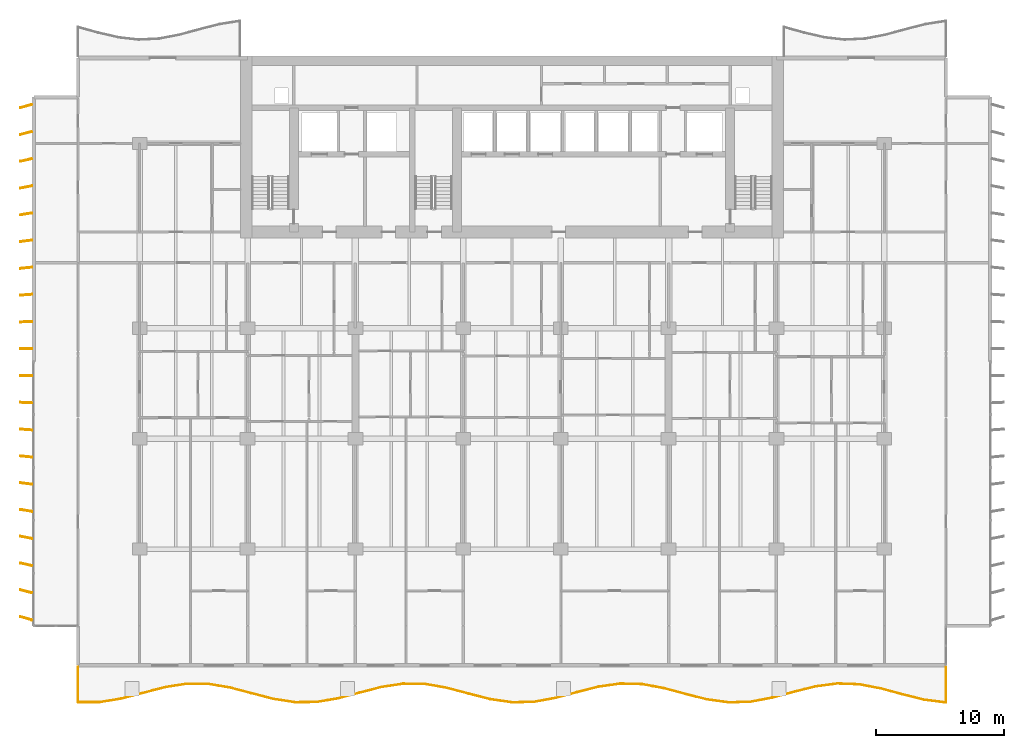
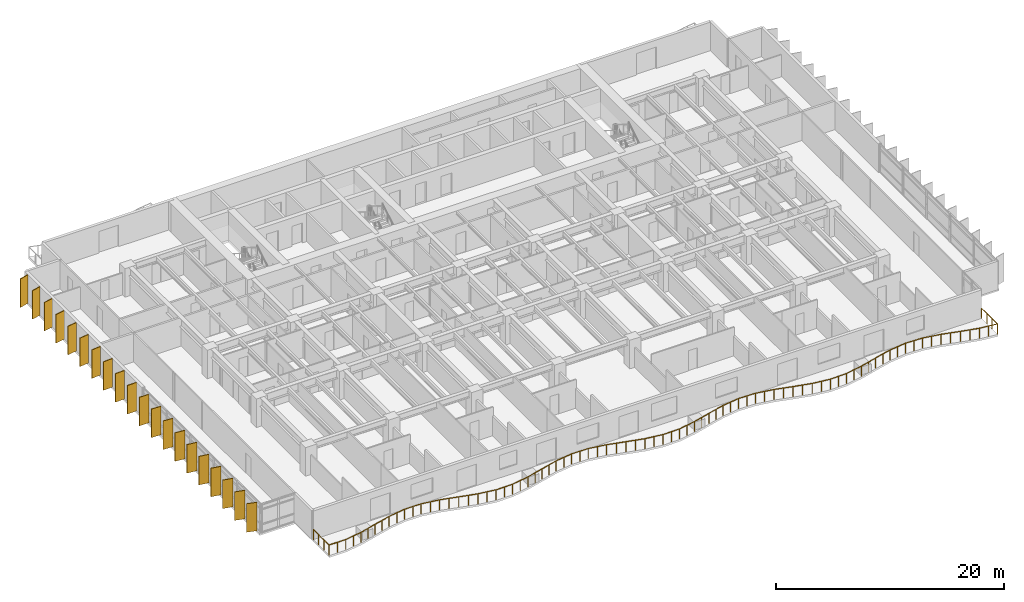
# One storey, part 15 of 18: 20 shading devices, 1 railing.
"""IFC4 building model written with IfcOpenShell, lengths in metres."""

from ifc_helpers import new_model, si_unit, direction, frame, origin, origin_2d, place, context, subcontext, project, spatial, rectangle, circle, extrude, material, material_profile, profile_set, type_object, element, save


model = new_model("IFC4")

# Units and contexts
model_context = context("Model", 3, precision=1e-05, world=origin(), true_north=direction((0.0, 1.0)))
body_context = subcontext(model_context, "Body", "Model", "MODEL_VIEW")
ifc_project = project(units=[si_unit("LENGTHUNIT", "METRE"), si_unit("AREAUNIT", "SQUARE_METRE"), si_unit("VOLUMEUNIT", "CUBIC_METRE"), si_unit("PLANEANGLEUNIT", "RADIAN"), si_unit("MASSUNIT", "GRAM", prefix="KILO")], contexts=[model_context])

# Site, building, storey
site_placement = place(None, origin())
site = spatial("IfcSite", under=ifc_project, at=site_placement, CompositionType="ELEMENT")
building_placement = place(site_placement, origin())
building = spatial("IfcBuilding", under=site, at=building_placement, Name="Caelmar Bay Residences", CompositionType="ELEMENT")
storey_placement = place(building_placement, frame((0.0, 0.0, 36.60009765625)))
storey = spatial("IfcBuildingStorey", under=building, at=storey_placement, Name="L08", CompositionType="ELEMENT", Elevation=36.60009765625)

# Railing
ifc_material_1 = material(Name="Anodised bronze handrail with laminated hurricane glass infill", Category="glass")
railing_type = type_object("IfcRailingType", Name="RL-BAL-1100", PredefinedType="BALUSTRADE", material=ifc_material_1)
railing_placement = place(storey_placement, frame((5.10009765625, 3.0, 0.0)))
element("IfcRailing", 1, at=railing_placement, inside=storey, type_object=railing_type, Name="L08 south Balcony Balustrade", PredefinedType="BALUSTRADE", context=body_context, shape_type="SweptSolid", body=[
    extrude(circle(Radius=0.02392578125, at=origin_2d()), frame((0.0, 0.0, 1.076171875), z_axis=(0.0, -1.0, 0.0), x_axis=(1.0, 0.0, 0.0)), (0.0, 0.0, 1.0), 2.7333984375),
    extrude(circle(Radius=0.02392578125, at=origin_2d()), frame((0.0, -2.7333984375, 1.076171875), z_axis=(0.999999833035, 0.000577867572, 0.0), x_axis=(-0.000577867572, 0.999999833035, 0.0)), (0.0, 0.0, 1.0), 1.68994140625),
    extrude(circle(Radius=0.02392578125, at=origin_2d()), frame((1.68994140625, -2.732421875, 1.076171875), z_axis=(0.986912976197, 0.161253767131, 0.0), x_axis=(-0.161253767131, 0.986912976197, 0.0)), (0.0, 0.0, 1.0), 1.71240234375),
    extrude(circle(Radius=0.02392578125, at=origin_2d()), frame((3.3798828125, -2.456298828125, 1.076171875), z_axis=(0.967094441618, 0.254417650706, 0.0), x_axis=(-0.254417650706, 0.967094441618, 0.0)), (0.0, 0.0, 1.0), 1.74755859375),
    extrude(circle(Radius=0.02392578125, at=origin_2d()), frame((5.06982421875, -2.01171875, 1.076171875), z_axis=(0.967514789184, 0.252814423463, 0.0), x_axis=(-0.252814423463, 0.967514789184, 0.0)), (0.0, 0.0, 1.0), 1.746826171875),
    extrude(circle(Radius=0.02392578125, at=origin_2d()), frame((6.760009765625, -1.570068359375, 1.076171875), z_axis=(0.98769577134, 0.156387541952, 0.0), x_axis=(-0.156387541952, 0.98769577134, 0.0)), (0.0, 0.0, 1.0), 1.7109375),
    extrude(circle(Radius=0.02392578125, at=origin_2d()), frame((8.449951171875, -1.302490234375, 1.076171875), z_axis=(0.999984128218, -0.005634120341, 0.0), x_axis=(0.005634120341, 0.999984128218, 0.0)), (0.0, 0.0, 1.0), 1.68994140625),
    extrude(circle(Radius=0.02392578125, at=origin_2d()), frame((10.139892578125, -1.31201171875, 1.076171875), z_axis=(0.98624720218, -0.165276907618, 0.0), x_axis=(0.165276907618, 0.98624720218, 0.0)), (0.0, 0.0, 1.0), 1.713623046875),
    extrude(circle(Radius=0.02392578125, at=origin_2d()), frame((11.829833984375, -1.59521484375, 1.076171875), z_axis=(0.966724528556, -0.255819635464, 0.0), x_axis=(0.255819635464, 0.966724528556, 0.0)), (0.0, 0.0, 1.0), 1.748291015625),
    extrude(circle(Radius=0.02392578125, at=origin_2d()), frame((13.52001953125, -2.04248046875, 1.076171875), z_axis=(0.967949070137, -0.251146566016, 0.0), x_axis=(0.251146566016, 0.967949070137, 0.0)), (0.0, 0.0, 1.0), 1.745849609375),
    extrude(circle(Radius=0.02392578125, at=origin_2d()), frame((15.2099609375, -2.48095703125, 1.076171875), z_axis=(0.988327087853, -0.152346865464, 0.0), x_axis=(0.152346865464, 0.988327087853, 0.0)), (0.0, 0.0, 1.0), 1.7099609375),
    extrude(circle(Radius=0.02392578125, at=origin_2d()), frame((16.89990234375, -2.741455078125, 1.076171875), z_axis=(0.999941306352, 0.010834382834, 0.0), x_axis=(-0.010834382834, 0.999941306352, 0.0)), (0.0, 0.0, 1.0), 1.68994140625),
    extrude(circle(Radius=0.02392578125, at=origin_2d()), frame((18.58984375, -2.72314453125, 1.076171875), z_axis=(0.9855897172, 0.169153508239, 0.0), x_axis=(-0.169153508239, 0.9855897172, 0.0)), (0.0, 0.0, 1.0), 1.714599609375),
    extrude(circle(Radius=0.02392578125, at=origin_2d()), frame((20.27978515625, -2.43310546875, 1.076171875), z_axis=(0.966378433467, 0.257123945464, 0.0), x_axis=(-0.257123945464, 0.966378433467, 0.0)), (0.0, 0.0, 1.0), 1.7490234375),
    extrude(circle(Radius=0.02392578125, at=origin_2d()), frame((21.969970703125, -1.9833984375, 1.076171875), z_axis=(0.968389691805, 0.2494421873, 0.0), x_axis=(-0.2494421873, 0.968389691805, 0.0)), (0.0, 0.0, 1.0), 1.7451171875),
    extrude(circle(Radius=0.02392578125, at=origin_2d()), frame((23.659912109375, -1.548095703125, 1.076171875), z_axis=(0.988963583268, 0.148158803214, 0.0), x_axis=(-0.148158803214, 0.988963583268, 0.0)), (0.0, 0.0, 1.0), 1.708740234375),
    extrude(circle(Radius=0.02392578125, at=origin_2d()), frame((25.349853515625, -1.294921875, 1.076171875), z_axis=(0.999873756235, -0.015889354693, 0.0), x_axis=(0.015889354693, 0.999873756235, 0.0)), (0.0, 0.0, 1.0), 1.690185546875),
    extrude(circle(Radius=0.02392578125, at=origin_2d()), frame((27.039794921875, -1.32177734375, 1.076171875), z_axis=(0.984922170397, -0.172998029641, 0.0), x_axis=(0.172998029641, 0.984922170397, 0.0)), (0.0, 0.0, 1.0), 1.716064453125),
    extrude(circle(Radius=0.02392578125, at=origin_2d()), frame((28.72998046875, -1.61865234375, 1.076171875), z_axis=(0.966056345192, -0.258331449718, 0.0), x_axis=(0.258331449718, 0.966056345192, 0.0)), (0.0, 0.0, 1.0), 1.749267578125),
    extrude(circle(Radius=0.02392578125, at=origin_2d()), frame((30.419921875, -2.070556640625, 1.076171875), z_axis=(0.968827708261, -0.247735487377, 0.0), x_axis=(0.247735487377, 0.968827708261, 0.0)), (0.0, 0.0, 1.0), 1.744384765625),
    extrude(circle(Radius=0.02392578125, at=origin_2d()), frame((32.10986328125, -2.502685546875, 1.076171875), z_axis=(0.989583106787, -0.143962754772, 0.0), x_axis=(0.143962754772, 0.989583106787, 0.0)), (0.0, 0.0, 1.0), 1.707763671875),
    extrude(circle(Radius=0.02392578125, at=origin_2d()), frame((33.7998046875, -2.74853515625, 1.076171875), z_axis=(0.99977769859, 0.021084435071, 0.0), x_axis=(-0.021084435071, 0.99977769859, 0.0)), (0.0, 0.0, 1.0), 1.690673828125),
    extrude(circle(Radius=0.02392578125, at=origin_2d()), frame((35.489990234375, -2.712890625, 1.076171875), z_axis=(0.984256622115, 0.176745302122, 0.0), x_axis=(-0.176745302122, 0.984256622115, 0.0)), (0.0, 0.0, 1.0), 1.717041015625),
    extrude(circle(Radius=0.02392578125, at=origin_2d()), frame((37.179931640625, -2.409423828125, 1.076171875), z_axis=(0.965777225915, 0.259372993784, 0.0), x_axis=(-0.259372993784, 0.965777225915, 0.0)), (0.0, 0.0, 1.0), 1.749755859375),
    extrude(circle(Radius=0.02392578125, at=origin_2d()), frame((38.869873046875, -1.95556640625, 1.076171875), z_axis=(0.969263107801, 0.246026477955, 0.0), x_axis=(-0.246026477955, 0.969263107801, 0.0)), (0.0, 0.0, 1.0), 1.74365234375),
    extrude(circle(Radius=0.02392578125, at=origin_2d()), frame((40.559814453125, -1.526611328125, 1.076171875), z_axis=(0.990188353082, 0.139739133463, 0.0), x_axis=(-0.139739133463, 0.990188353082, 0.0)), (0.0, 0.0, 1.0), 1.70703125),
    extrude(circle(Radius=0.02392578125, at=origin_2d()), frame((42.25, -1.2880859375, 1.076171875), z_axis=(0.999654518749, -0.026283895177, 0.0), x_axis=(0.026283895177, 0.999654518749, 0.0)), (0.0, 0.0, 1.0), 1.6904296875),
    extrude(circle(Radius=0.02392578125, at=origin_2d()), frame((43.93994140625, -1.33251953125, 1.076171875), z_axis=(0.983582184878, -0.180460759144, 0.0), x_axis=(0.180460759144, 0.983582184878, 0.0)), (0.0, 0.0, 1.0), 1.71826171875),
    extrude(circle(Radius=0.02392578125, at=origin_2d()), frame((45.6298828125, -1.642578125, 1.076171875), z_axis=(0.965497146249, -0.260413633639, 0.0), x_axis=(0.260413633639, 0.965497146249, 0.0)), (0.0, 0.0, 1.0), 1.750244140625),
    extrude(circle(Radius=0.02392578125, at=origin_2d()), frame((47.31982421875, -2.098388671875, 1.076171875), z_axis=(0.969737411097, -0.244150268315, 0.0), x_axis=(0.244150268315, 0.969737411097, 0.0)), (0.0, 0.0, 1.0), 1.742919921875),
    extrude(circle(Radius=0.02392578125, at=origin_2d()), frame((49.010009765625, -2.52392578125, 1.076171875), z_axis=(0.990790057905, -0.135407020338, 0.0), x_axis=(0.135407020338, 0.990790057905, 0.0)), (0.0, 0.0, 1.0), 1.70556640625),
    extrude(circle(Radius=0.02392578125, at=origin_2d()), frame((50.699951171875, -2.7548828125, 1.076171875), z_axis=(0.999504439275, 0.031478180838, 0.0), x_axis=(-0.031478180838, 0.999504439275, 0.0)), (0.0, 0.0, 1.0), 1.690673828125),
    extrude(circle(Radius=0.02392578125, at=origin_2d()), frame((52.389892578125, -2.70166015625, 1.076171875), z_axis=(0.982920379518, 0.18403132214, 0.0), x_axis=(-0.18403132214, 0.982920379518, 0.0)), (0.0, 0.0, 1.0), 1.71923828125),
    extrude(circle(Radius=0.02392578125, at=origin_2d()), frame((54.079833984375, -2.38525390625, 1.076171875), z_axis=(0.965260811811, 0.26128827984, 0.0), x_axis=(-0.26128827984, 0.965260811811, 0.0)), (0.0, 0.0, 1.0), 1.7509765625),
    extrude(circle(Radius=0.02392578125, at=origin_2d()), frame((55.77001953125, -1.927734375, 1.076171875), z_axis=(0.970224894322, 0.242205810082, 0.0), x_axis=(-0.242205810082, 0.970224894322, 0.0)), (0.0, 0.0, 1.0), 1.74169921875),
    extrude(circle(Radius=0.02392578125, at=origin_2d()), frame((57.4599609375, -1.505859375, 1.076171875), z_axis=(0.991394719073, 0.130906497144, 0.0), x_axis=(-0.130906497144, 0.991394719073, 0.0)), (0.0, 0.0, 1.0), 1.70458984375),
    extrude(circle(Radius=0.02392578125, at=origin_2d()), frame((59.14990234375, -1.28271484375, 1.076171875), z_axis=(0.99933797185, -0.036381561529, 0.0), x_axis=(0.036381561529, 0.99933797185, 0.0)), (0.0, 0.0, 1.0), 1.691162109375),
    extrude(circle(Radius=0.02392578125, at=origin_2d()), frame((60.83984375, -1.34423828125, 1.076171875), z_axis=(0.982246537562, -0.187594614657, 0.0), x_axis=(0.187594614657, 0.982246537562, 0.0)), (0.0, 0.0, 1.0), 1.720458984375),
    extrude(circle(Radius=0.02392578125, at=origin_2d()), frame((62.52978515625, -1.6669921875, 1.076171875), z_axis=(0.965014289093, -0.26219729565, 0.0), x_axis=(0.26219729565, 0.965014289093, 0.0)), (0.0, 0.0, 1.0), 1.75146484375),
    extrude(circle(Radius=0.02392578125, at=origin_2d()), frame((64.219970703125, -2.126220703125, 1.076171875), z_axis=(0.970749888961, -0.240093009232, 0.0), x_axis=(0.240093009232, 0.970749888961, 0.0)), (0.0, 0.0, 1.0), 1.740966796875),
    extrude(circle(Radius=0.02392578125, at=origin_2d()), frame((65.909912109375, -2.544189453125, 1.076171875), z_axis=(0.991943650562, -0.126679888341, 0.0), x_axis=(0.126679888341, 0.991943650562, 0.0)), (0.0, 0.0, 1.0), 1.70361328125),
    extrude(circle(Radius=0.02392578125, at=origin_2d()), frame((67.599853515625, -2.760009765625, 1.076171875), z_axis=(0.0, 1.0, 0.0), x_axis=(-1.0, 0.0, 0.0)), (0.0, 0.0, 1.0), 2.760009765625),
    extrude(circle(Radius=0.02099609375, at=origin_2d()), origin(), (0.0, 0.0, 1.0), 1.052001953125),
    extrude(circle(Radius=0.02099609375, at=origin_2d()), frame((0.0, -0.9111328125, 0.0)), (0.0, 0.0, 1.0), 1.052001953125),
    extrude(circle(Radius=0.02099609375, at=origin_2d()), frame((0.0, -1.822265625, 0.0)), (0.0, 0.0, 1.0), 1.052001953125),
    extrude(circle(Radius=0.02099609375, at=origin_2d()), frame((0.0, -2.7333984375, 0.0)), (0.0, 0.0, 1.0), 1.052001953125),
    extrude(circle(Radius=0.02099609375, at=origin_2d()), frame((0.844970703125, -2.73291015625, 0.0)), (0.0, 0.0, 1.0), 1.052001953125),
    extrude(circle(Radius=0.02099609375, at=origin_2d()), frame((1.68994140625, -2.732421875, 0.0)), (0.0, 0.0, 1.0), 1.052001953125),
    extrude(circle(Radius=0.02099609375, at=origin_2d()), frame((2.534912109375, -2.59423828125, 0.0)), (0.0, 0.0, 1.0), 1.052001953125),
    extrude(circle(Radius=0.02099609375, at=origin_2d()), frame((3.3798828125, -2.456298828125, 0.0)), (0.0, 0.0, 1.0), 1.052001953125),
    extrude(circle(Radius=0.02099609375, at=origin_2d()), frame((4.224853515625, -2.23388671875, 0.0)), (0.0, 0.0, 1.0), 1.052001953125),
    extrude(circle(Radius=0.02099609375, at=origin_2d()), frame((5.06982421875, -2.01171875, 0.0)), (0.0, 0.0, 1.0), 1.052001953125),
    extrude(circle(Radius=0.02099609375, at=origin_2d()), frame((5.9150390625, -1.791015625, 0.0)), (0.0, 0.0, 1.0), 1.052001953125),
    extrude(circle(Radius=0.02099609375, at=origin_2d()), frame((6.760009765625, -1.570068359375, 0.0)), (0.0, 0.0, 1.0), 1.052001953125),
    extrude(circle(Radius=0.02099609375, at=origin_2d()), frame((7.60498046875, -1.436279296875, 0.0)), (0.0, 0.0, 1.0), 1.052001953125),
    extrude(circle(Radius=0.02099609375, at=origin_2d()), frame((8.449951171875, -1.302490234375, 0.0)), (0.0, 0.0, 1.0), 1.052001953125),
    extrude(circle(Radius=0.02099609375, at=origin_2d()), frame((9.294921875, -1.30712890625, 0.0)), (0.0, 0.0, 1.0), 1.052001953125),
    extrude(circle(Radius=0.02099609375, at=origin_2d()), frame((10.139892578125, -1.31201171875, 0.0)), (0.0, 0.0, 1.0), 1.052001953125),
    extrude(circle(Radius=0.02099609375, at=origin_2d()), frame((10.98486328125, -1.45361328125, 0.0)), (0.0, 0.0, 1.0), 1.052001953125),
    extrude(circle(Radius=0.02099609375, at=origin_2d()), frame((11.829833984375, -1.59521484375, 0.0)), (0.0, 0.0, 1.0), 1.052001953125),
    extrude(circle(Radius=0.02099609375, at=origin_2d()), frame((12.6748046875, -1.81884765625, 0.0)), (0.0, 0.0, 1.0), 1.052001953125),
    extrude(circle(Radius=0.02099609375, at=origin_2d()), frame((13.52001953125, -2.04248046875, 0.0)), (0.0, 0.0, 1.0), 1.052001953125),
    extrude(circle(Radius=0.02099609375, at=origin_2d()), frame((14.364990234375, -2.26171875, 0.0)), (0.0, 0.0, 1.0), 1.052001953125),
    extrude(circle(Radius=0.02099609375, at=origin_2d()), frame((15.2099609375, -2.48095703125, 0.0)), (0.0, 0.0, 1.0), 1.052001953125),
    extrude(circle(Radius=0.02099609375, at=origin_2d()), frame((16.054931640625, -2.611328125, 0.0)), (0.0, 0.0, 1.0), 1.052001953125),
    extrude(circle(Radius=0.02099609375, at=origin_2d()), frame((16.89990234375, -2.741455078125, 0.0)), (0.0, 0.0, 1.0), 1.052001953125),
    extrude(circle(Radius=0.02099609375, at=origin_2d()), frame((17.744873046875, -2.732421875, 0.0)), (0.0, 0.0, 1.0), 1.052001953125),
    extrude(circle(Radius=0.02099609375, at=origin_2d()), frame((18.58984375, -2.72314453125, 0.0)), (0.0, 0.0, 1.0), 1.052001953125),
    extrude(circle(Radius=0.02099609375, at=origin_2d()), frame((19.434814453125, -2.578125, 0.0)), (0.0, 0.0, 1.0), 1.052001953125),
    extrude(circle(Radius=0.02099609375, at=origin_2d()), frame((20.27978515625, -2.43310546875, 0.0)), (0.0, 0.0, 1.0), 1.052001953125),
    extrude(circle(Radius=0.02099609375, at=origin_2d()), frame((21.125, -2.208251953125, 0.0)), (0.0, 0.0, 1.0), 1.052001953125),
    extrude(circle(Radius=0.02099609375, at=origin_2d()), frame((21.969970703125, -1.9833984375, 0.0)), (0.0, 0.0, 1.0), 1.052001953125),
    extrude(circle(Radius=0.02099609375, at=origin_2d()), frame((22.81494140625, -1.765625, 0.0)), (0.0, 0.0, 1.0), 1.052001953125),
    extrude(circle(Radius=0.02099609375, at=origin_2d()), frame((23.659912109375, -1.548095703125, 0.0)), (0.0, 0.0, 1.0), 1.052001953125),
    extrude(circle(Radius=0.02099609375, at=origin_2d()), frame((24.5048828125, -1.42138671875, 0.0)), (0.0, 0.0, 1.0), 1.052001953125),
    extrude(circle(Radius=0.02099609375, at=origin_2d()), frame((25.349853515625, -1.294921875, 0.0)), (0.0, 0.0, 1.0), 1.052001953125),
    extrude(circle(Radius=0.02099609375, at=origin_2d()), frame((26.19482421875, -1.308349609375, 0.0)), (0.0, 0.0, 1.0), 1.052001953125),
    extrude(circle(Radius=0.02099609375, at=origin_2d()), frame((27.039794921875, -1.32177734375, 0.0)), (0.0, 0.0, 1.0), 1.052001953125),
    extrude(circle(Radius=0.02099609375, at=origin_2d()), frame((27.884765625, -1.47021484375, 0.0)), (0.0, 0.0, 1.0), 1.052001953125),
    extrude(circle(Radius=0.02099609375, at=origin_2d()), frame((28.72998046875, -1.61865234375, 0.0)), (0.0, 0.0, 1.0), 1.052001953125),
    extrude(circle(Radius=0.02099609375, at=origin_2d()), frame((29.574951171875, -1.8447265625, 0.0)), (0.0, 0.0, 1.0), 1.052001953125),
    extrude(circle(Radius=0.02099609375, at=origin_2d()), frame((30.419921875, -2.070556640625, 0.0)), (0.0, 0.0, 1.0), 1.052001953125),
    extrude(circle(Radius=0.02099609375, at=origin_2d()), frame((31.264892578125, -2.28662109375, 0.0)), (0.0, 0.0, 1.0), 1.052001953125),
    extrude(circle(Radius=0.02099609375, at=origin_2d()), frame((32.10986328125, -2.502685546875, 0.0)), (0.0, 0.0, 1.0), 1.052001953125),
    extrude(circle(Radius=0.02099609375, at=origin_2d()), frame((32.954833984375, -2.62548828125, 0.0)), (0.0, 0.0, 1.0), 1.052001953125),
    extrude(circle(Radius=0.02099609375, at=origin_2d()), frame((33.7998046875, -2.74853515625, 0.0)), (0.0, 0.0, 1.0), 1.052001953125),
    extrude(circle(Radius=0.02099609375, at=origin_2d()), frame((34.64501953125, -2.730712890625, 0.0)), (0.0, 0.0, 1.0), 1.052001953125),
    extrude(circle(Radius=0.02099609375, at=origin_2d()), frame((35.489990234375, -2.712890625, 0.0)), (0.0, 0.0, 1.0), 1.052001953125),
    extrude(circle(Radius=0.02099609375, at=origin_2d()), frame((36.3349609375, -2.56103515625, 0.0)), (0.0, 0.0, 1.0), 1.052001953125),
    extrude(circle(Radius=0.02099609375, at=origin_2d()), frame((37.179931640625, -2.409423828125, 0.0)), (0.0, 0.0, 1.0), 1.052001953125),
    extrude(circle(Radius=0.02099609375, at=origin_2d()), frame((38.02490234375, -2.1826171875, 0.0)), (0.0, 0.0, 1.0), 1.052001953125),
    extrude(circle(Radius=0.02099609375, at=origin_2d()), frame((38.869873046875, -1.95556640625, 0.0)), (0.0, 0.0, 1.0), 1.052001953125),
    extrude(circle(Radius=0.02099609375, at=origin_2d()), frame((39.71484375, -1.7412109375, 0.0)), (0.0, 0.0, 1.0), 1.052001953125),
    extrude(circle(Radius=0.02099609375, at=origin_2d()), frame((40.559814453125, -1.526611328125, 0.0)), (0.0, 0.0, 1.0), 1.052001953125),
    extrude(circle(Radius=0.02099609375, at=origin_2d()), frame((41.40478515625, -1.4072265625, 0.0)), (0.0, 0.0, 1.0), 1.052001953125),
    extrude(circle(Radius=0.02099609375, at=origin_2d()), frame((42.25, -1.2880859375, 0.0)), (0.0, 0.0, 1.0), 1.052001953125),
    extrude(circle(Radius=0.02099609375, at=origin_2d()), frame((43.094970703125, -1.310302734375, 0.0)), (0.0, 0.0, 1.0), 1.052001953125),
    extrude(circle(Radius=0.02099609375, at=origin_2d()), frame((43.93994140625, -1.33251953125, 0.0)), (0.0, 0.0, 1.0), 1.052001953125),
    extrude(circle(Radius=0.02099609375, at=origin_2d()), frame((44.784912109375, -1.487548828125, 0.0)), (0.0, 0.0, 1.0), 1.052001953125),
    extrude(circle(Radius=0.02099609375, at=origin_2d()), frame((45.6298828125, -1.642578125, 0.0)), (0.0, 0.0, 1.0), 1.052001953125),
    extrude(circle(Radius=0.02099609375, at=origin_2d()), frame((46.474853515625, -1.87060546875, 0.0)), (0.0, 0.0, 1.0), 1.052001953125),
    extrude(circle(Radius=0.02099609375, at=origin_2d()), frame((47.31982421875, -2.098388671875, 0.0)), (0.0, 0.0, 1.0), 1.052001953125),
    extrude(circle(Radius=0.02099609375, at=origin_2d()), frame((48.1650390625, -2.31103515625, 0.0)), (0.0, 0.0, 1.0), 1.052001953125),
    extrude(circle(Radius=0.02099609375, at=origin_2d()), frame((49.010009765625, -2.52392578125, 0.0)), (0.0, 0.0, 1.0), 1.052001953125),
    extrude(circle(Radius=0.02099609375, at=origin_2d()), frame((49.85498046875, -2.639404296875, 0.0)), (0.0, 0.0, 1.0), 1.052001953125),
    extrude(circle(Radius=0.02099609375, at=origin_2d()), frame((50.699951171875, -2.7548828125, 0.0)), (0.0, 0.0, 1.0), 1.052001953125),
    extrude(circle(Radius=0.02099609375, at=origin_2d()), frame((51.544921875, -2.728271484375, 0.0)), (0.0, 0.0, 1.0), 1.052001953125),
    extrude(circle(Radius=0.02099609375, at=origin_2d()), frame((52.389892578125, -2.70166015625, 0.0)), (0.0, 0.0, 1.0), 1.052001953125),
    extrude(circle(Radius=0.02099609375, at=origin_2d()), frame((53.23486328125, -2.54345703125, 0.0)), (0.0, 0.0, 1.0), 1.052001953125),
    extrude(circle(Radius=0.02099609375, at=origin_2d()), frame((54.079833984375, -2.38525390625, 0.0)), (0.0, 0.0, 1.0), 1.052001953125),
    extrude(circle(Radius=0.02099609375, at=origin_2d()), frame((54.9248046875, -2.156494140625, 0.0)), (0.0, 0.0, 1.0), 1.052001953125),
    extrude(circle(Radius=0.02099609375, at=origin_2d()), frame((55.77001953125, -1.927734375, 0.0)), (0.0, 0.0, 1.0), 1.052001953125),
    extrude(circle(Radius=0.02099609375, at=origin_2d()), frame((56.614990234375, -1.716796875, 0.0)), (0.0, 0.0, 1.0), 1.052001953125),
    extrude(circle(Radius=0.02099609375, at=origin_2d()), frame((57.4599609375, -1.505859375, 0.0)), (0.0, 0.0, 1.0), 1.052001953125),
    extrude(circle(Radius=0.02099609375, at=origin_2d()), frame((58.304931640625, -1.394287109375, 0.0)), (0.0, 0.0, 1.0), 1.052001953125),
    extrude(circle(Radius=0.02099609375, at=origin_2d()), frame((59.14990234375, -1.28271484375, 0.0)), (0.0, 0.0, 1.0), 1.052001953125),
    extrude(circle(Radius=0.02099609375, at=origin_2d()), frame((59.994873046875, -1.3134765625, 0.0)), (0.0, 0.0, 1.0), 1.052001953125),
    extrude(circle(Radius=0.02099609375, at=origin_2d()), frame((60.83984375, -1.34423828125, 0.0)), (0.0, 0.0, 1.0), 1.052001953125),
    extrude(circle(Radius=0.02099609375, at=origin_2d()), frame((61.684814453125, -1.505615234375, 0.0)), (0.0, 0.0, 1.0), 1.052001953125),
    extrude(circle(Radius=0.02099609375, at=origin_2d()), frame((62.52978515625, -1.6669921875, 0.0)), (0.0, 0.0, 1.0), 1.052001953125),
    extrude(circle(Radius=0.02099609375, at=origin_2d()), frame((63.375, -1.896484375, 0.0)), (0.0, 0.0, 1.0), 1.052001953125),
    extrude(circle(Radius=0.02099609375, at=origin_2d()), frame((64.219970703125, -2.126220703125, 0.0)), (0.0, 0.0, 1.0), 1.052001953125),
    extrude(circle(Radius=0.02099609375, at=origin_2d()), frame((65.06494140625, -2.335205078125, 0.0)), (0.0, 0.0, 1.0), 1.052001953125),
    extrude(circle(Radius=0.02099609375, at=origin_2d()), frame((65.909912109375, -2.544189453125, 0.0)), (0.0, 0.0, 1.0), 1.052001953125),
    extrude(circle(Radius=0.02099609375, at=origin_2d()), frame((66.7548828125, -2.652099609375, 0.0)), (0.0, 0.0, 1.0), 1.052001953125),
    extrude(circle(Radius=0.02099609375, at=origin_2d()), frame((67.599853515625, -2.760009765625, 0.0)), (0.0, 0.0, 1.0), 1.052001953125),
    extrude(circle(Radius=0.02099609375, at=origin_2d()), frame((67.599853515625, -1.840087890625, 0.0)), (0.0, 0.0, 1.0), 1.052001953125),
    extrude(circle(Radius=0.02099609375, at=origin_2d()), frame((67.599853515625, -0.919921875, 0.0)), (0.0, 0.0, 1.0), 1.052001953125),
    extrude(circle(Radius=0.02099609375, at=origin_2d()), frame((67.599853515625, 0.0, 0.0)), (0.0, 0.0, 1.0), 1.052001953125),
])

# Shading devices
ifc_material_2 = material(Name="Anodised architectural bronze aluminium 6063-T6", Category="aluminium")
ifc_material_profile = material_profile(ifc_material_2, rectangle(XDim=0.074951171875, YDim=0.949951171875, at=origin_2d()), Name="BRONZE-FIN-75X950")
ifc_profile_set = profile_set([ifc_material_profile], Name="Anodised architectural bronze aluminium 6063-T6")
shading_device_type = type_object("IfcShadingDeviceType", Name="SHD-FIN-950", PredefinedType="USERDEFINED", material=ifc_profile_set)
for number, where, z_axis, x_axis, name in (
    (2, (1.050048828125, 6.800048828125, 0.0), (0.0, 0.0, 1.0), (0.275637355817, 0.961261695938, 0.0), "L08 West Bronze Solar Fin 1"),
    (3, (1.050048828125, 8.89990234375, 0.0), (0.0, 0.0, 1.0), (0.247337247968, 0.968929453452, 0.0), "L08 West Bronze Solar Fin 2"),
    (4, (1.050048828125, 11.0, 0.0), (0.0, 0.0, 1.0), (0.218654200292, 0.975802408633, 0.0), "L08 West Bronze Solar Fin 3"),
    (5, (1.050048828125, 13.10009765625, 0.0), (0.0, 0.0, 1.0), (0.189952291512, 0.981793321911, 0.0), "L08 West Bronze Solar Fin 4"),
    (6, (1.050048828125, 15.199951171875, 0.0), (0.0, 0.0, 1.0), (0.160914826518, 0.986968296657, 0.0), "L08 West Bronze Solar Fin 5"),
    (7, (1.050048828125, 17.300048828125, 0.0), (0.0, 0.0, 1.0), (0.131910382711, 0.991261646052, 0.0), "L08 West Bronze Solar Fin 6"),
    (8, (1.050048828125, 19.39990234375, 0.0), (0.0, 0.0, 1.0), (0.10261892683, 0.994720742649, 0.0), "L08 West Bronze Solar Fin 7"),
    (9, (1.050048828125, 21.5, 0.0), (0.0, 0.0, 1.0), (0.073412260224, 0.997301679558, 0.0), "L08 West Bronze Solar Fin 8"),
    (10, (1.050048828125, 23.60009765625, 0.0), (0.0, 0.0, 1.0), (0.044142481788, 0.999025245578, 0.0), "L08 West Bronze Solar Fin 9"),
    (11, (1.050048828125, 25.699951171875, 0.0), (0.0, 0.0, 1.0), (0.01466024053, 0.999892532899, 0.0), "L08 West Bronze Solar Fin 10"),
    (12, (1.050048828125, 27.800048828125, 0.0), (0.0, 0.0, 1.0), (-0.01466024053, 0.999892532899, 0.0), "L08 West Bronze Solar Fin 11"),
    (13, (1.050048828125, 29.89990234375, 0.0), (0.0, 0.0, 1.0), (-0.044142481788, 0.999025245578, 0.0), "L08 West Bronze Solar Fin 12"),
    (14, (1.050048828125, 32.0, 0.0), (0.0, 0.0, 1.0), (-0.073412260224, 0.997301679558, 0.0), "L08 West Bronze Solar Fin 13"),
    (15, (1.050048828125, 34.10009765625, 0.0), (0.0, 0.0, 1.0), (-0.10261892683, 0.994720742649, 0.0), "L08 West Bronze Solar Fin 14"),
    (16, (1.050048828125, 36.199951171875, 0.0), (0.0, 0.0, 1.0), (-0.131910382711, 0.991261646052, 0.0), "L08 West Bronze Solar Fin 15"),
    (17, (1.050048828125, 38.300048828125, 0.0), (0.0, 0.0, 1.0), (-0.160914826518, 0.986968296657, 0.0), "L08 West Bronze Solar Fin 16"),
    (18, (1.050048828125, 40.39990234375, 0.0), (0.0, 0.0, 1.0), (-0.189952291512, 0.981793321911, 0.0), "L08 West Bronze Solar Fin 17"),
    (19, (1.050048828125, 42.5, 0.0), (0.0, 0.0, 1.0), (-0.218654200292, 0.975802408633, 0.0), "L08 West Bronze Solar Fin 18"),
    (20, (1.050048828125, 44.60009765625, 0.0), (0.0, 0.0, 1.0), (-0.247337247968, 0.968929453452, 0.0), "L08 West Bronze Solar Fin 19"),
    (21, (1.050048828125, 46.699951171875, 0.0), (0.0, 0.0, 1.0), (-0.275637355817, 0.961261695938, 0.0), "L08 West Bronze Solar Fin 20"),
):
    element("IfcShadingDevice", number, at=place(storey_placement, frame(where, z_axis=z_axis, x_axis=x_axis)), inside=storey, type_object=shading_device_type, Name=name, ObjectType="FIN", PredefinedType="USERDEFINED", context=body_context, shape_type="SweptSolid", body=[
        extrude(rectangle(XDim=0.074951171875, YDim=0.949951171875, at=origin_2d()), origin(), (0.0, 0.0, 1.0), 3.0498046875),
    ])

save(model, "model.ifc")
